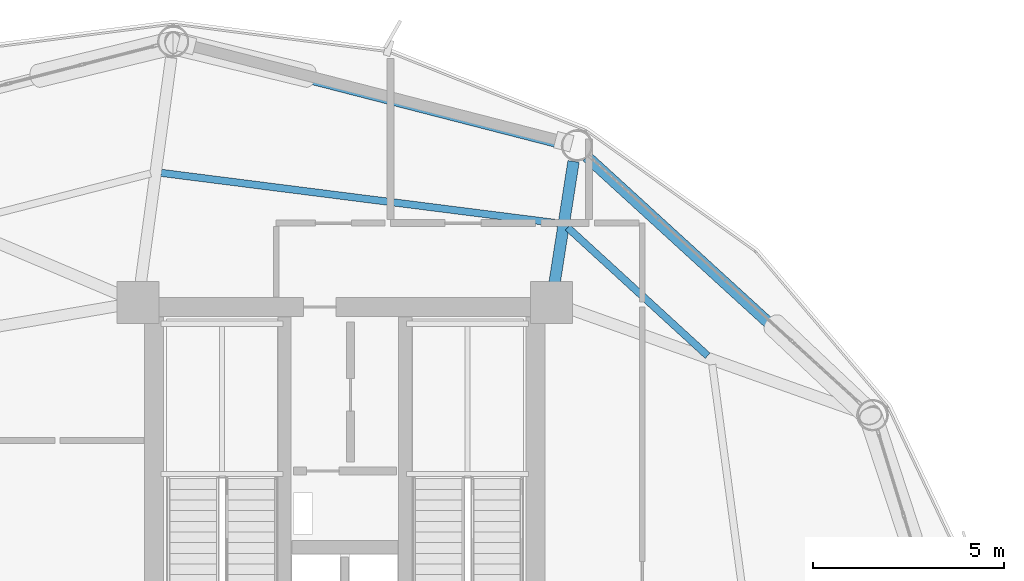
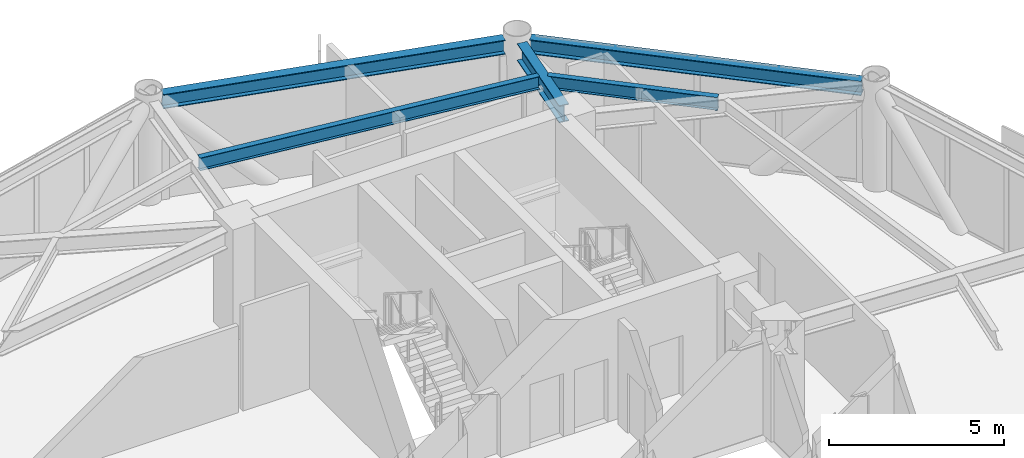
# One storey, part 17 of 24: 5 beams.
"""IFC4 building model written with IfcOpenShell, lengths in metres."""

from ifc_helpers import new_model, si_unit, direction, frame, origin, origin_2d, place, context, subcontext, project, spatial, i_section, extrude, material, material_profile, profile_set, type_object, element, save


model = new_model("IFC4")

# Units and contexts
model_context = context("Model", 3, precision=1e-05, world=origin(), true_north=direction((0.0, 1.0)))
body_context = subcontext(model_context, "Body", "Model", "MODEL_VIEW")
ifc_project = project(units=[si_unit("LENGTHUNIT", "METRE"), si_unit("AREAUNIT", "SQUARE_METRE"), si_unit("VOLUMEUNIT", "CUBIC_METRE"), si_unit("PLANEANGLEUNIT", "RADIAN"), si_unit("MASSUNIT", "GRAM", prefix="KILO")], contexts=[model_context])

# Site, building, storey
site_placement = place(None, origin())
site = spatial("IfcSite", under=ifc_project, at=site_placement, CompositionType="ELEMENT")
building_placement = place(site_placement, origin())
building = spatial("IfcBuilding", under=site, at=building_placement, Name="Varnakorn Sky Granary", CompositionType="ELEMENT")
storey_placement = place(building_placement, frame((0.0, 0.0, 118.800048828125)))
storey = spatial("IfcBuildingStorey", under=building, at=storey_placement, Name="L29", CompositionType="ELEMENT", Elevation=118.800048828125)

# Beams
ifc_material = material(Name="Steel S355JR", Category="steel")
ifc_material_profile_1 = material_profile(ifc_material, i_section(OverallWidth=0.300048828125, OverallDepth=0.60009765625, WebThickness=0.015380859375, FlangeThickness=0.030029296875, at=origin_2d()), Name="HE 600 B")
ifc_profile_set_1 = profile_set([ifc_material_profile_1], Name="Steel S355JR")
beam_type_1 = type_object("IfcBeamType", Name="BM-RAD-Z2", PredefinedType="BEAM", material=ifc_profile_set_1)
beam_1_placement = place(storey_placement, frame((8.48486328125, 13.034912109375, 3.33984375), z_axis=(0.154266969109, 0.988029201108, 0.0), x_axis=(-0.988029201108, 0.154266969109, 0.0)))
element("IfcBeam", 1, at=beam_1_placement, inside=storey, type_object=beam_type_1, Name="Radial Floor Girder RG03 L29", PredefinedType="BEAM", context=body_context, shape_type="SweptSolid", body=[
    extrude(i_section(OverallWidth=0.300048828125, OverallDepth=0.60009765625, WebThickness=0.015380859375, FlangeThickness=0.030029296875, at=origin_2d()), origin(), (0.0, 0.0, 1.0), 3.3203125),
])
ifc_material_profile_2 = material_profile(ifc_material, i_section(OverallWidth=0.18994140625, OverallDepth=0.449951171875, WebThickness=0.009521484375, FlangeThickness=0.0146484375, at=origin_2d()), Name="IPE 450")
ifc_profile_set_2 = profile_set([ifc_material_profile_2], Name="Steel S355JR")
beam_type_2 = type_object("IfcBeamType", Name="BM-SEC-Z2", PredefinedType="BEAM", material=ifc_profile_set_2)
beam_2_placement = place(storey_placement, frame((12.51318359375, 11.22119140625, 3.4150390625), z_axis=(-0.737512568268, 0.675333407768, 0.0), x_axis=(-0.675333407768, -0.737512568268, 0.0)))
element("IfcBeam", 2, at=beam_2_placement, inside=storey, type_object=beam_type_2, Name="Secondary Floor Chord Beam MSB02 L29", PredefinedType="BEAM", context=body_context, shape_type="SweptSolid", body=[
    extrude(i_section(OverallWidth=0.18994140625, OverallDepth=0.449951171875, WebThickness=0.009521484375, FlangeThickness=0.0146484375, at=origin_2d()), origin(), (0.0, 0.0, 1.0), 4.974853515625),
])
beam_3_placement = place(storey_placement, frame((8.60205078125, 14.69287109375, 3.4150390625), z_axis=(-0.992023030265, 0.126056762707, 0.0), x_axis=(-0.126056762707, -0.992023030265, 0.0)))
element("IfcBeam", 3, at=beam_3_placement, inside=storey, type_object=beam_type_2, Name="Secondary Floor Chord Beam MSB03 L29", PredefinedType="BEAM", context=body_context, shape_type="SweptSolid", body=[
    extrude(i_section(OverallWidth=0.18994140625, OverallDepth=0.449951171875, WebThickness=0.009521484375, FlangeThickness=0.0146484375, at=origin_2d()), origin(), (0.0, 0.0, 1.0), 10.5048828125),
])
ifc_material_profile_3 = material_profile(ifc_material, i_section(OverallWidth=0.300048828125, OverallDepth=0.5, WebThickness=0.014404296875, FlangeThickness=0.028076171875, at=origin_2d()), Name="HE 500 B")
ifc_profile_set_3 = profile_set([ifc_material_profile_3], Name="Steel S355JR")
beam_type_3 = type_object("IfcBeamType", Name="BM-SPD-Z2", PredefinedType="SPANDREL", material=ifc_profile_set_3)
beam_4_placement = place(storey_placement, frame((16.4970703125, 9.906982421875, 3.389892578125), z_axis=(-0.738350124804, 0.67441759556, 0.0), x_axis=(-0.67441759556, -0.738350124804, 0.0)))
element("IfcBeam", 4, at=beam_4_placement, inside=storey, type_object=beam_type_3, Name="Perimeter Spandrel Ring Beam RB02 L29", PredefinedType="SPANDREL", context=body_context, shape_type="SweptSolid", body=[
    extrude(i_section(OverallWidth=0.300048828125, OverallDepth=0.5, WebThickness=0.014404296875, FlangeThickness=0.028076171875, at=origin_2d()), origin(), (0.0, 0.0, 1.0), 9.684326171875),
])
beam_5_placement = place(storey_placement, frame((8.678466796875, 16.7998046875, 3.389892578125), z_axis=(-0.968400922479, 0.249398583279, 0.0), x_axis=(-0.249398583279, -0.968400922479, 0.0)))
element("IfcBeam", 5, at=beam_5_placement, inside=storey, type_object=beam_type_3, Name="Perimeter Spandrel Ring Beam RB03 L29", PredefinedType="SPANDREL", context=body_context, shape_type="SweptSolid", body=[
    extrude(i_section(OverallWidth=0.300048828125, OverallDepth=0.5, WebThickness=0.014404296875, FlangeThickness=0.028076171875, at=origin_2d()), origin(), (0.0, 0.0, 1.0), 10.119140625),
])

save(model, "model.ifc")
